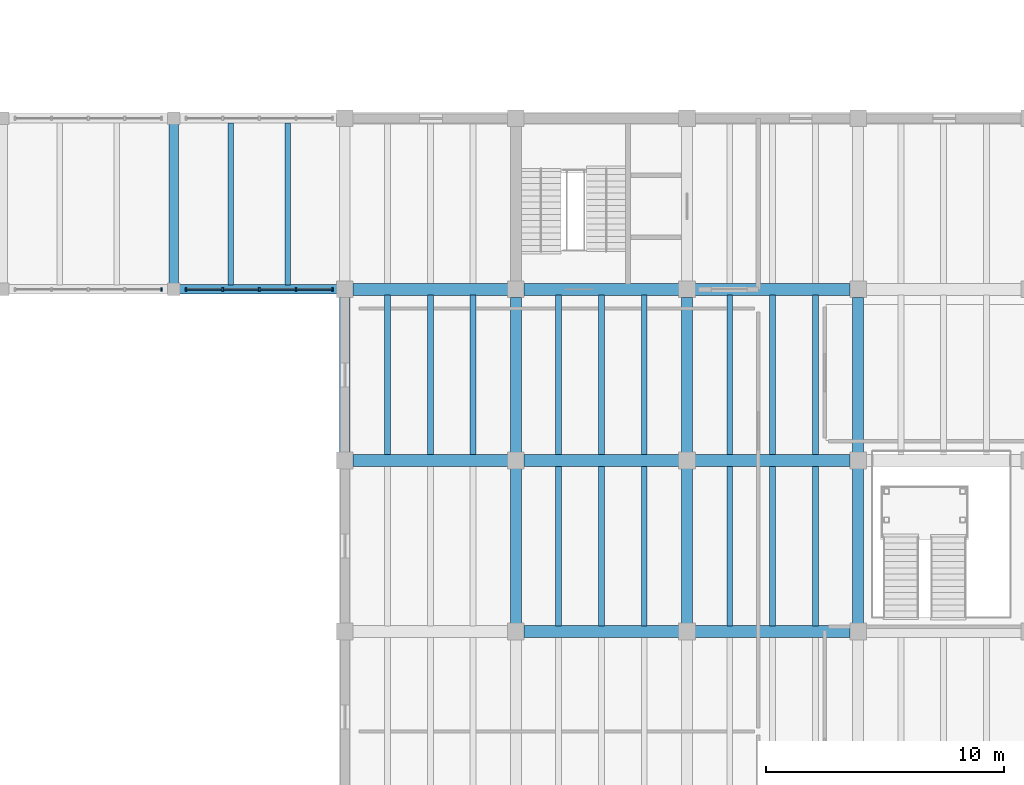
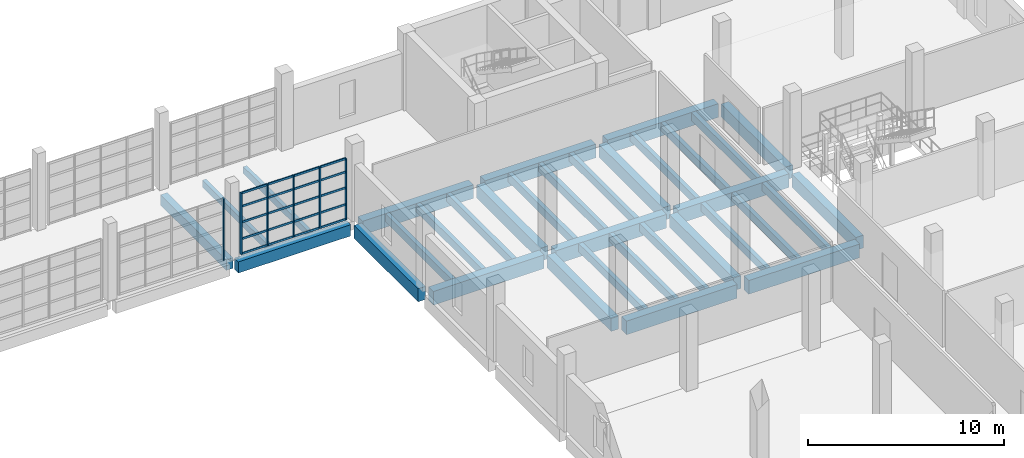
# One storey, part 45 of 77: 34 beams, 26 members, 2 elements without a shape of their own.
"""IFC4 building model written with IfcOpenShell, lengths in metres."""

from ifc_helpers import new_model, si_unit, direction, frame, origin, origin_2d, place, context, subcontext, project, spatial, rectangle, extrude, material, material_profile, profile_set, type_object, element, aggregate, save


model = new_model("IFC4")

# Units and contexts
model_context = context("Model", 3, precision=1e-05, world=origin(), true_north=direction((0.0, 1.0)))
body_context = subcontext(model_context, "Body", "Model", "MODEL_VIEW")
ifc_project = project(units=[si_unit("LENGTHUNIT", "METRE"), si_unit("AREAUNIT", "SQUARE_METRE"), si_unit("VOLUMEUNIT", "CUBIC_METRE"), si_unit("PLANEANGLEUNIT", "RADIAN"), si_unit("MASSUNIT", "GRAM", prefix="KILO")], contexts=[model_context])

# Site, building, storey
site_placement = place(None, origin())
site = spatial("IfcSite", under=ifc_project, at=site_placement, CompositionType="ELEMENT")
building_placement = place(site_placement, origin())
building = spatial("IfcBuilding", under=site, at=building_placement, Name="Qiaolan Assembly House", CompositionType="ELEMENT")
storey_placement = place(building_placement, frame((0.0, 0.0, 5.39990234375)))
storey = spatial("IfcBuildingStorey", under=building, at=storey_placement, Name="L01", CompositionType="ELEMENT", Elevation=5.39990234375)

# Beams
ifc_material_1 = material(Name="Concrete C40/50", Category="concrete")
ifc_material_profile_1 = material_profile(ifc_material_1, rectangle(XDim=0.39990234375, YDim=0.64990234375, at=origin_2d()), Name="RCB 400x650")
ifc_profile_set_1 = profile_set([ifc_material_profile_1], Name="Concrete C40/50")
beam_type_1 = type_object("IfcBeamType", Name="BM-RC-400x650", PredefinedType="BEAM", material=ifc_profile_set_1)
beam_1_placement = place(storey_placement, frame((129.60009765625, 79.449951171875, -0.594970703125), z_axis=(0.0, 1.0, 0.0), x_axis=(-1.0, 0.0, 0.0)))
element("IfcBeam", 1, at=beam_1_placement, inside=storey, type_object=beam_type_1, Name="GB-06 beam BMY-CLN-L01-03-00", PredefinedType="BEAM", context=body_context, shape_type="SweptSolid", body=[
    extrude(rectangle(XDim=0.39990234375, YDim=0.64990234375, at=origin_2d()), origin(), (0.0, 0.0, 1.0), 6.699951171875),
])
ifc_material_profile_2 = material_profile(ifc_material_1, rectangle(XDim=0.39990234375, YDim=0.699951171875, at=origin_2d()), Name="RCB 400x700")
ifc_profile_set_2 = profile_set([ifc_material_profile_2], Name="Concrete C40/50")
beam_type_2 = type_object("IfcBeamType", Name="BM-RC-400x700", PredefinedType="BEAM", material=ifc_profile_set_2)
beam_2_placement = place(storey_placement, frame((129.85009765625, 79.199951171875, -0.619873046875), z_axis=(1.0, 0.0, 0.0), x_axis=(0.0, 1.0, 0.0)))
element("IfcBeam", 2, at=beam_2_placement, inside=storey, type_object=beam_type_2, Name="GB-05 beam BMX-CLN-L01-03-00", PredefinedType="BEAM", context=body_context, shape_type="SweptSolid", body=[
    extrude(rectangle(XDim=0.39990234375, YDim=0.699951171875, at=origin_2d()), origin(), (0.0, 0.0, 1.0), 6.60986328125),
])
ifc_material_profile_3 = material_profile(ifc_material_1, rectangle(XDim=0.449951171875, YDim=0.800048828125, at=origin_2d()), Name="RCB 450x800")
ifc_profile_set_3 = profile_set([ifc_material_profile_3], Name="Concrete C40/50")
beam_type_3 = type_object("IfcBeamType", Name="BM-RC-450x800", PredefinedType="BEAM", material=ifc_profile_set_3)
for number, where, z_axis, x_axis, name in (
    (3, (136.800048828125, 72.340087890625, -0.669921875), (0.0, 1.0, 0.0), (-1.0, 0.0, 0.0), "GB-03 beam BMY-LB-L01-00-06"),
    (4, (144.0, 65.139892578125, -0.669921875), (0.0, 1.0, 0.0), (-1.0, 0.0, 0.0), "GB-03 beam BMY-LB-L01-01-05"),
    (5, (144.0, 72.340087890625, -0.669921875), (0.0, 1.0, 0.0), (-1.0, 0.0, 0.0), "GB-03 beam BMY-LB-L01-01-06"),
    (6, (151.199951171875, 65.139892578125, -0.669921875), (0.0, 1.0, 0.0), (-1.0, 0.0, 0.0), "GB-03 beam BMY-LB-L01-02-05"),
    (7, (151.199951171875, 72.340087890625, -0.669921875), (0.0, 1.0, 0.0), (-1.0, 0.0, 0.0), "GB-03 beam BMY-LB-L01-02-06"),
    (8, (158.39990234375, 65.139892578125, -0.669921875), (0.0, 1.0, 0.0), (-1.0, 0.0, 0.0), "GB-03 beam BMY-LB-L01-03-05"),
    (9, (158.39990234375, 72.340087890625, -0.669921875), (0.0, 1.0, 0.0), (-1.0, 0.0, 0.0), "GB-03 beam BMY-LB-L01-03-06"),
):
    element("IfcBeam", number, at=place(storey_placement, frame(where, z_axis=z_axis, x_axis=x_axis)), inside=storey, type_object=beam_type_3, Name=name, PredefinedType="BEAM", context=body_context, shape_type="SweptSolid", body=[
        extrude(rectangle(XDim=0.449951171875, YDim=0.800048828125, at=origin_2d()), origin(), (0.0, 0.0, 1.0), 6.52001953125),
    ])
ifc_material_2 = material(Name="Concrete C45/55", Category="concrete")
ifc_material_profile_4 = material_profile(ifc_material_2, rectangle(XDim=0.5, YDim=0.85009765625, at=origin_2d()), Name="RCB 500x850")
ifc_profile_set_4 = profile_set([ifc_material_profile_4], Name="Concrete C45/55")
beam_type_4 = type_object("IfcBeamType", Name="BM-RC-500x850", PredefinedType="BEAM", material=ifc_profile_set_4)
for number, where, z_axis, x_axis, name in (
    (10, (144.340087890625, 64.800048828125, -0.69482421875), (1.0, 0.0, 0.0), (0.0, 1.0, 0.0), "GB-02 beam BMX-LB-L01-01-05"),
    (11, (151.5400390625, 64.800048828125, -0.69482421875), (1.0, 0.0, 0.0), (0.0, 1.0, 0.0), "GB-02 beam BMX-LB-L01-02-05"),
    (12, (137.139892578125, 72.0, -0.69482421875), (1.0, 0.0, 0.0), (0.0, 1.0, 0.0), "GB-02 beam BMX-LB-L01-00-06"),
    (13, (144.340087890625, 72.0, -0.69482421875), (1.0, 0.0, 0.0), (0.0, 1.0, 0.0), "GB-02 beam BMX-LB-L01-01-06"),
    (14, (151.5400390625, 72.0, -0.69482421875), (1.0, 0.0, 0.0), (0.0, 1.0, 0.0), "GB-02 beam BMX-LB-L01-02-06"),
    (15, (137.139892578125, 79.199951171875, -0.69482421875), (1.0, 0.0, 0.0), (0.0, 1.0, 0.0), "GB-02 beam BMX-LB-L01-00-07"),
    (16, (144.340087890625, 79.199951171875, -0.69482421875), (1.0, 0.0, 0.0), (0.0, 1.0, 0.0), "GB-02 beam BMX-LB-L01-01-07"),
    (17, (151.5400390625, 79.199951171875, -0.69482421875), (1.0, 0.0, 0.0), (0.0, 1.0, 0.0), "GB-02 beam BMX-LB-L01-02-07"),
):
    element("IfcBeam", number, at=place(storey_placement, frame(where, z_axis=z_axis, x_axis=x_axis)), inside=storey, type_object=beam_type_4, Name=name, PredefinedType="BEAM", context=body_context, shape_type="SweptSolid", body=[
        extrude(rectangle(XDim=0.5, YDim=0.85009765625, at=origin_2d()), origin(), (0.0, 0.0, 1.0), 6.52001953125),
    ])

# Curtain wall, member
ifc_material_3 = material(Name="Anodised bronze aluminium", Category="aluminium")
curtain_wall_type = type_object("IfcCurtainWallType", Name="CW-CLOISTER-420", PredefinedType="NOTDEFINED", material=ifc_material_3)
curtain_wall_1_placement = place(storey_placement, origin())
curtain_wall_1 = element("IfcCurtainWall", 18, at=curtain_wall_1_placement, inside=storey, type_object=curtain_wall_type, Name="CW-05 North Cloister court arcade L01-3", PredefinedType="NOTDEFINED")
ifc_material_profile_5 = material_profile(ifc_material_3, rectangle(XDim=0.070068359375, YDim=0.155029296875, at=origin_2d()), Name="MUL 70x155")
ifc_profile_set_5 = profile_set([ifc_material_profile_5], Name="Anodised bronze aluminium")
member_type_1 = type_object("IfcMemberType", Name="CW-CLOISTER-420-MUL", PredefinedType="MULLION", material=ifc_profile_set_5)
member_1_placement = place(storey_placement, frame((129.080078125, 79.199951171875, 0.0), z_axis=(0.0, 0.0, 1.0), x_axis=(1.0, 0.0, 0.0)))
member_1 = element("IfcMember", 19, at=member_1_placement, type_object=member_type_1, Name="ML-06 mullion CW-CLN-CRT-L01-2-5", PredefinedType="MULLION", context=body_context, shape_type="SweptSolid", body=[
    extrude(rectangle(XDim=0.070068359375, YDim=0.155029296875, at=origin_2d()), origin(), (0.0, 0.0, 1.0), 3.820068359375),
])
aggregate(curtain_wall_1, [member_1])

# Curtain wall, members
curtain_wall_2_placement = place(storey_placement, origin())
curtain_wall_2 = element("IfcCurtainWall", 20, at=curtain_wall_2_placement, inside=storey, type_object=curtain_wall_type, Name="CW-05 North Cloister court arcade L01-4", PredefinedType="NOTDEFINED")
member_2_placement = place(storey_placement, frame((130.1201171875, 79.199951171875, 0.0), z_axis=(0.0, 0.0, 1.0), x_axis=(1.0, 0.0, 0.0)))
member_2 = element("IfcMember", 21, at=member_2_placement, type_object=member_type_1, Name="ML-06 mullion CW-CLN-CRT-L01-3-1", PredefinedType="MULLION", context=body_context, shape_type="SweptSolid", body=[
    extrude(rectangle(XDim=0.070068359375, YDim=0.155029296875, at=origin_2d()), origin(), (0.0, 0.0, 1.0), 3.820068359375),
])
member_3_placement = place(storey_placement, frame((131.659912109375, 79.199951171875, 0.0), z_axis=(0.0, 0.0, 1.0), x_axis=(1.0, 0.0, 0.0)))
member_3 = element("IfcMember", 22, at=member_3_placement, type_object=member_type_1, Name="ML-06 mullion CW-CLN-CRT-L01-3-2", PredefinedType="MULLION", context=body_context, shape_type="SweptSolid", body=[
    extrude(rectangle(XDim=0.070068359375, YDim=0.155029296875, at=origin_2d()), origin(), (0.0, 0.0, 1.0), 3.820068359375),
])
member_4_placement = place(storey_placement, frame((133.199951171875, 79.199951171875, 0.0), z_axis=(0.0, 0.0, 1.0), x_axis=(1.0, 0.0, 0.0)))
member_4 = element("IfcMember", 23, at=member_4_placement, type_object=member_type_1, Name="ML-06 mullion CW-CLN-CRT-L01-3-3", PredefinedType="MULLION", context=body_context, shape_type="SweptSolid", body=[
    extrude(rectangle(XDim=0.070068359375, YDim=0.155029296875, at=origin_2d()), origin(), (0.0, 0.0, 1.0), 3.820068359375),
])
member_5_placement = place(storey_placement, frame((134.739990234375, 79.199951171875, 0.0), z_axis=(0.0, 0.0, 1.0), x_axis=(1.0, 0.0, 0.0)))
member_5 = element("IfcMember", 24, at=member_5_placement, type_object=member_type_1, Name="ML-06 mullion CW-CLN-CRT-L01-3-4", PredefinedType="MULLION", context=body_context, shape_type="SweptSolid", body=[
    extrude(rectangle(XDim=0.070068359375, YDim=0.155029296875, at=origin_2d()), origin(), (0.0, 0.0, 1.0), 3.820068359375),
])
member_6_placement = place(storey_placement, frame((136.280029296875, 79.199951171875, 0.0), z_axis=(0.0, 0.0, 1.0), x_axis=(1.0, 0.0, 0.0)))
member_6 = element("IfcMember", 25, at=member_6_placement, type_object=member_type_1, Name="ML-06 mullion CW-CLN-CRT-L01-3-5", PredefinedType="MULLION", context=body_context, shape_type="SweptSolid", body=[
    extrude(rectangle(XDim=0.070068359375, YDim=0.155029296875, at=origin_2d()), origin(), (0.0, 0.0, 1.0), 3.820068359375),
])
ifc_material_profile_6 = material_profile(ifc_material_3, rectangle(XDim=0.06201171875, YDim=0.125, at=origin_2d()), Name="TRN 62x125")
ifc_profile_set_6 = profile_set([ifc_material_profile_6], Name="Anodised bronze aluminium")
member_type_2 = type_object("IfcMemberType", Name="CW-CLOISTER-420-TRN", PredefinedType="USERDEFINED", material=ifc_profile_set_6)
member_7_placement = place(storey_placement, frame((130.155029296875, 79.199951171875, 0.030029296875), z_axis=(1.0, 0.0, 0.0), x_axis=(0.0, 1.0, 0.0)))
member_7 = element("IfcMember", 26, at=member_7_placement, type_object=member_type_2, Name="TR-06 transom CW-CLN-CRT-L01-3-1-1", ObjectType="TRANSOM", PredefinedType="USERDEFINED", context=body_context, shape_type="SweptSolid", body=[
    extrude(rectangle(XDim=0.06201171875, YDim=0.125, at=origin_2d()), origin(), (0.0, 0.0, 1.0), 1.469970703125),
])
member_8_placement = place(storey_placement, frame((130.155029296875, 79.199951171875, 0.9501953125), z_axis=(1.0, 0.0, 0.0), x_axis=(0.0, 1.0, 0.0)))
member_8 = element("IfcMember", 27, at=member_8_placement, type_object=member_type_2, Name="TR-06 transom CW-CLN-CRT-L01-3-1-2", ObjectType="TRANSOM", PredefinedType="USERDEFINED", context=body_context, shape_type="SweptSolid", body=[
    extrude(rectangle(XDim=0.06201171875, YDim=0.125, at=origin_2d()), origin(), (0.0, 0.0, 1.0), 1.469970703125),
])
member_9_placement = place(storey_placement, frame((130.155029296875, 79.199951171875, 1.986572265625), z_axis=(1.0, 0.0, 0.0), x_axis=(0.0, 1.0, 0.0)))
member_9 = element("IfcMember", 28, at=member_9_placement, type_object=member_type_2, Name="TR-06 transom CW-CLN-CRT-L01-3-1-3", ObjectType="TRANSOM", PredefinedType="USERDEFINED", context=body_context, shape_type="SweptSolid", body=[
    extrude(rectangle(XDim=0.06201171875, YDim=0.125, at=origin_2d()), origin(), (0.0, 0.0, 1.0), 1.469970703125),
])
member_10_placement = place(storey_placement, frame((130.155029296875, 79.199951171875, 2.97021484375), z_axis=(1.0, 0.0, 0.0), x_axis=(0.0, 1.0, 0.0)))
member_10 = element("IfcMember", 29, at=member_10_placement, type_object=member_type_2, Name="TR-06 transom CW-CLN-CRT-L01-3-1-4", ObjectType="TRANSOM", PredefinedType="USERDEFINED", context=body_context, shape_type="SweptSolid", body=[
    extrude(rectangle(XDim=0.06201171875, YDim=0.125, at=origin_2d()), origin(), (0.0, 0.0, 1.0), 1.469970703125),
])
member_11_placement = place(storey_placement, frame((130.155029296875, 79.199951171875, 3.7900390625), z_axis=(1.0, 0.0, 0.0), x_axis=(0.0, 1.0, 0.0)))
member_11 = element("IfcMember", 30, at=member_11_placement, type_object=member_type_2, Name="TR-06 transom CW-CLN-CRT-L01-3-1-5", ObjectType="TRANSOM", PredefinedType="USERDEFINED", context=body_context, shape_type="SweptSolid", body=[
    extrude(rectangle(XDim=0.06201171875, YDim=0.125, at=origin_2d()), origin(), (0.0, 0.0, 1.0), 1.469970703125),
])
member_12_placement = place(storey_placement, frame((131.695068359375, 79.199951171875, 0.030029296875), z_axis=(1.0, 0.0, 0.0), x_axis=(0.0, 1.0, 0.0)))
member_12 = element("IfcMember", 31, at=member_12_placement, type_object=member_type_2, Name="TR-06 transom CW-CLN-CRT-L01-3-2-1", ObjectType="TRANSOM", PredefinedType="USERDEFINED", context=body_context, shape_type="SweptSolid", body=[
    extrude(rectangle(XDim=0.06201171875, YDim=0.125, at=origin_2d()), origin(), (0.0, 0.0, 1.0), 1.469970703125),
])
member_13_placement = place(storey_placement, frame((131.695068359375, 79.199951171875, 0.9501953125), z_axis=(1.0, 0.0, 0.0), x_axis=(0.0, 1.0, 0.0)))
member_13 = element("IfcMember", 32, at=member_13_placement, type_object=member_type_2, Name="TR-06 transom CW-CLN-CRT-L01-3-2-2", ObjectType="TRANSOM", PredefinedType="USERDEFINED", context=body_context, shape_type="SweptSolid", body=[
    extrude(rectangle(XDim=0.06201171875, YDim=0.125, at=origin_2d()), origin(), (0.0, 0.0, 1.0), 1.469970703125),
])
member_14_placement = place(storey_placement, frame((131.695068359375, 79.199951171875, 1.986572265625), z_axis=(1.0, 0.0, 0.0), x_axis=(0.0, 1.0, 0.0)))
member_14 = element("IfcMember", 33, at=member_14_placement, type_object=member_type_2, Name="TR-06 transom CW-CLN-CRT-L01-3-2-3", ObjectType="TRANSOM", PredefinedType="USERDEFINED", context=body_context, shape_type="SweptSolid", body=[
    extrude(rectangle(XDim=0.06201171875, YDim=0.125, at=origin_2d()), origin(), (0.0, 0.0, 1.0), 1.469970703125),
])
member_15_placement = place(storey_placement, frame((131.695068359375, 79.199951171875, 2.97021484375), z_axis=(1.0, 0.0, 0.0), x_axis=(0.0, 1.0, 0.0)))
member_15 = element("IfcMember", 34, at=member_15_placement, type_object=member_type_2, Name="TR-06 transom CW-CLN-CRT-L01-3-2-4", ObjectType="TRANSOM", PredefinedType="USERDEFINED", context=body_context, shape_type="SweptSolid", body=[
    extrude(rectangle(XDim=0.06201171875, YDim=0.125, at=origin_2d()), origin(), (0.0, 0.0, 1.0), 1.469970703125),
])
member_16_placement = place(storey_placement, frame((131.695068359375, 79.199951171875, 3.7900390625), z_axis=(1.0, 0.0, 0.0), x_axis=(0.0, 1.0, 0.0)))
member_16 = element("IfcMember", 35, at=member_16_placement, type_object=member_type_2, Name="TR-06 transom CW-CLN-CRT-L01-3-2-5", ObjectType="TRANSOM", PredefinedType="USERDEFINED", context=body_context, shape_type="SweptSolid", body=[
    extrude(rectangle(XDim=0.06201171875, YDim=0.125, at=origin_2d()), origin(), (0.0, 0.0, 1.0), 1.469970703125),
])
member_17_placement = place(storey_placement, frame((133.235107421875, 79.199951171875, 0.030029296875), z_axis=(1.0, 0.0, 0.0), x_axis=(0.0, 1.0, 0.0)))
member_17 = element("IfcMember", 36, at=member_17_placement, type_object=member_type_2, Name="TR-06 transom CW-CLN-CRT-L01-3-3-1", ObjectType="TRANSOM", PredefinedType="USERDEFINED", context=body_context, shape_type="SweptSolid", body=[
    extrude(rectangle(XDim=0.06201171875, YDim=0.125, at=origin_2d()), origin(), (0.0, 0.0, 1.0), 1.469970703125),
])
member_18_placement = place(storey_placement, frame((133.235107421875, 79.199951171875, 0.9501953125), z_axis=(1.0, 0.0, 0.0), x_axis=(0.0, 1.0, 0.0)))
member_18 = element("IfcMember", 37, at=member_18_placement, type_object=member_type_2, Name="TR-06 transom CW-CLN-CRT-L01-3-3-2", ObjectType="TRANSOM", PredefinedType="USERDEFINED", context=body_context, shape_type="SweptSolid", body=[
    extrude(rectangle(XDim=0.06201171875, YDim=0.125, at=origin_2d()), origin(), (0.0, 0.0, 1.0), 1.469970703125),
])
member_19_placement = place(storey_placement, frame((133.235107421875, 79.199951171875, 1.986572265625), z_axis=(1.0, 0.0, 0.0), x_axis=(0.0, 1.0, 0.0)))
member_19 = element("IfcMember", 38, at=member_19_placement, type_object=member_type_2, Name="TR-06 transom CW-CLN-CRT-L01-3-3-3", ObjectType="TRANSOM", PredefinedType="USERDEFINED", context=body_context, shape_type="SweptSolid", body=[
    extrude(rectangle(XDim=0.06201171875, YDim=0.125, at=origin_2d()), origin(), (0.0, 0.0, 1.0), 1.469970703125),
])
member_20_placement = place(storey_placement, frame((133.235107421875, 79.199951171875, 2.97021484375), z_axis=(1.0, 0.0, 0.0), x_axis=(0.0, 1.0, 0.0)))
member_20 = element("IfcMember", 39, at=member_20_placement, type_object=member_type_2, Name="TR-06 transom CW-CLN-CRT-L01-3-3-4", ObjectType="TRANSOM", PredefinedType="USERDEFINED", context=body_context, shape_type="SweptSolid", body=[
    extrude(rectangle(XDim=0.06201171875, YDim=0.125, at=origin_2d()), origin(), (0.0, 0.0, 1.0), 1.469970703125),
])
member_21_placement = place(storey_placement, frame((133.235107421875, 79.199951171875, 3.7900390625), z_axis=(1.0, 0.0, 0.0), x_axis=(0.0, 1.0, 0.0)))
member_21 = element("IfcMember", 40, at=member_21_placement, type_object=member_type_2, Name="TR-06 transom CW-CLN-CRT-L01-3-3-5", ObjectType="TRANSOM", PredefinedType="USERDEFINED", context=body_context, shape_type="SweptSolid", body=[
    extrude(rectangle(XDim=0.06201171875, YDim=0.125, at=origin_2d()), origin(), (0.0, 0.0, 1.0), 1.469970703125),
])
member_22_placement = place(storey_placement, frame((134.77490234375, 79.199951171875, 0.030029296875), z_axis=(1.0, 0.0, 0.0), x_axis=(0.0, 1.0, 0.0)))
member_22 = element("IfcMember", 41, at=member_22_placement, type_object=member_type_2, Name="TR-06 transom CW-CLN-CRT-L01-3-4-1", ObjectType="TRANSOM", PredefinedType="USERDEFINED", context=body_context, shape_type="SweptSolid", body=[
    extrude(rectangle(XDim=0.06201171875, YDim=0.125, at=origin_2d()), origin(), (0.0, 0.0, 1.0), 1.47021484375),
])
member_23_placement = place(storey_placement, frame((134.77490234375, 79.199951171875, 0.9501953125), z_axis=(1.0, 0.0, 0.0), x_axis=(0.0, 1.0, 0.0)))
member_23 = element("IfcMember", 42, at=member_23_placement, type_object=member_type_2, Name="TR-06 transom CW-CLN-CRT-L01-3-4-2", ObjectType="TRANSOM", PredefinedType="USERDEFINED", context=body_context, shape_type="SweptSolid", body=[
    extrude(rectangle(XDim=0.06201171875, YDim=0.125, at=origin_2d()), origin(), (0.0, 0.0, 1.0), 1.47021484375),
])
member_24_placement = place(storey_placement, frame((134.77490234375, 79.199951171875, 1.986572265625), z_axis=(1.0, 0.0, 0.0), x_axis=(0.0, 1.0, 0.0)))
member_24 = element("IfcMember", 43, at=member_24_placement, type_object=member_type_2, Name="TR-06 transom CW-CLN-CRT-L01-3-4-3", ObjectType="TRANSOM", PredefinedType="USERDEFINED", context=body_context, shape_type="SweptSolid", body=[
    extrude(rectangle(XDim=0.06201171875, YDim=0.125, at=origin_2d()), origin(), (0.0, 0.0, 1.0), 1.47021484375),
])
member_25_placement = place(storey_placement, frame((134.77490234375, 79.199951171875, 2.97021484375), z_axis=(1.0, 0.0, 0.0), x_axis=(0.0, 1.0, 0.0)))
member_25 = element("IfcMember", 44, at=member_25_placement, type_object=member_type_2, Name="TR-06 transom CW-CLN-CRT-L01-3-4-4", ObjectType="TRANSOM", PredefinedType="USERDEFINED", context=body_context, shape_type="SweptSolid", body=[
    extrude(rectangle(XDim=0.06201171875, YDim=0.125, at=origin_2d()), origin(), (0.0, 0.0, 1.0), 1.47021484375),
])
member_26_placement = place(storey_placement, frame((134.77490234375, 79.199951171875, 3.7900390625), z_axis=(1.0, 0.0, 0.0), x_axis=(0.0, 1.0, 0.0)))
member_26 = element("IfcMember", 45, at=member_26_placement, type_object=member_type_2, Name="TR-06 transom CW-CLN-CRT-L01-3-4-5", ObjectType="TRANSOM", PredefinedType="USERDEFINED", context=body_context, shape_type="SweptSolid", body=[
    extrude(rectangle(XDim=0.06201171875, YDim=0.125, at=origin_2d()), origin(), (0.0, 0.0, 1.0), 1.47021484375),
])
aggregate(curtain_wall_2, [member_2, member_3, member_4, member_5, member_6, member_7, member_8, member_9, member_10, member_11, member_12, member_13, member_14, member_15, member_16, member_17, member_18, member_19, member_20, member_21, member_22, member_23, member_24, member_25, member_26])

# Beams
ifc_material_profile_7 = material_profile(ifc_material_1, rectangle(XDim=0.219970703125, YDim=0.419921875, at=origin_2d()), Name="RCB 220x420")
ifc_profile_set_7 = profile_set([ifc_material_profile_7], Name="Concrete C40/50")
beam_type_5 = type_object("IfcBeamType", Name="JST-RC-220x420", PredefinedType="JOIST", material=ifc_profile_set_7)
for number, where, z_axis, x_axis, name in (
    (46, (132.0, 79.39404296875, -0.47998046875), (0.0, 1.0, 0.0), (-1.0, 0.0, 0.0), "RJ-03 beam JST-CLN-L01-03-00-1"),
    (47, (134.39990234375, 79.39404296875, -0.47998046875), (0.0, 1.0, 0.0), (-1.0, 0.0, 0.0), "RJ-03 beam JST-CLN-L01-03-00-2"),
):
    element("IfcBeam", number, at=place(storey_placement, frame(where, z_axis=z_axis, x_axis=x_axis)), inside=storey, type_object=beam_type_5, Name=name, PredefinedType="JOIST", context=body_context, shape_type="SweptSolid", body=[
        extrude(rectangle(XDim=0.219970703125, YDim=0.419921875, at=origin_2d()), origin(), (0.0, 0.0, 1.0), 6.81201171875),
    ])
ifc_material_profile_8 = material_profile(ifc_material_1, rectangle(XDim=0.25, YDim=0.5, at=origin_2d()), Name="RCB 250x500")
ifc_profile_set_8 = profile_set([ifc_material_profile_8], Name="Concrete C40/50")
beam_type_6 = type_object("IfcBeamType", Name="JST-RC-250x500", PredefinedType="JOIST", material=ifc_profile_set_8)
for number, where, z_axis, x_axis, name in (
    (48, (138.60009765625, 72.243896484375, -0.52001953125), (0.0, 1.0, 0.0), (-1.0, 0.0, 0.0), "RJ-01 beam JST-LB-L01-00-06-1"),
    (49, (140.39990234375, 72.243896484375, -0.52001953125), (0.0, 1.0, 0.0), (-1.0, 0.0, 0.0), "RJ-01 beam JST-LB-L01-00-06-2"),
    (50, (142.199951171875, 72.243896484375, -0.52001953125), (0.0, 1.0, 0.0), (-1.0, 0.0, 0.0), "RJ-01 beam JST-LB-L01-00-06-3"),
    (51, (145.800048828125, 65.0439453125, -0.52001953125), (0.0, 1.0, 0.0), (-1.0, 0.0, 0.0), "RJ-01 beam JST-LB-L01-01-05-1"),
    (52, (147.60009765625, 65.0439453125, -0.52001953125), (0.0, 1.0, 0.0), (-1.0, 0.0, 0.0), "RJ-01 beam JST-LB-L01-01-05-2"),
    (53, (149.39990234375, 65.0439453125, -0.52001953125), (0.0, 1.0, 0.0), (-1.0, 0.0, 0.0), "RJ-01 beam JST-LB-L01-01-05-3"),
    (54, (145.800048828125, 72.243896484375, -0.52001953125), (0.0, 1.0, 0.0), (-1.0, 0.0, 0.0), "RJ-01 beam JST-LB-L01-01-06-1"),
    (55, (147.60009765625, 72.243896484375, -0.52001953125), (0.0, 1.0, 0.0), (-1.0, 0.0, 0.0), "RJ-01 beam JST-LB-L01-01-06-2"),
    (56, (149.39990234375, 72.243896484375, -0.52001953125), (0.0, 1.0, 0.0), (-1.0, 0.0, 0.0), "RJ-01 beam JST-LB-L01-01-06-3"),
    (57, (153.0, 65.0439453125, -0.52001953125), (0.0, 1.0, 0.0), (-1.0, 0.0, 0.0), "RJ-01 beam JST-LB-L01-02-05-1"),
    (58, (154.800048828125, 65.0439453125, -0.52001953125), (0.0, 1.0, 0.0), (-1.0, 0.0, 0.0), "RJ-01 beam JST-LB-L01-02-05-2"),
    (59, (156.60009765625, 65.0439453125, -0.52001953125), (0.0, 1.0, 0.0), (-1.0, 0.0, 0.0), "RJ-01 beam JST-LB-L01-02-05-3"),
    (60, (153.0, 72.243896484375, -0.52001953125), (0.0, 1.0, 0.0), (-1.0, 0.0, 0.0), "RJ-01 beam JST-LB-L01-02-06-1"),
    (61, (154.800048828125, 72.243896484375, -0.52001953125), (0.0, 1.0, 0.0), (-1.0, 0.0, 0.0), "RJ-01 beam JST-LB-L01-02-06-2"),
    (62, (156.60009765625, 72.243896484375, -0.52001953125), (0.0, 1.0, 0.0), (-1.0, 0.0, 0.0), "RJ-01 beam JST-LB-L01-02-06-3"),
):
    element("IfcBeam", number, at=place(storey_placement, frame(where, z_axis=z_axis, x_axis=x_axis)), inside=storey, type_object=beam_type_6, Name=name, PredefinedType="JOIST", context=body_context, shape_type="SweptSolid", body=[
        extrude(rectangle(XDim=0.25, YDim=0.5, at=origin_2d()), origin(), (0.0, 0.0, 1.0), 6.712158203125),
    ])

save(model, "model.ifc")
